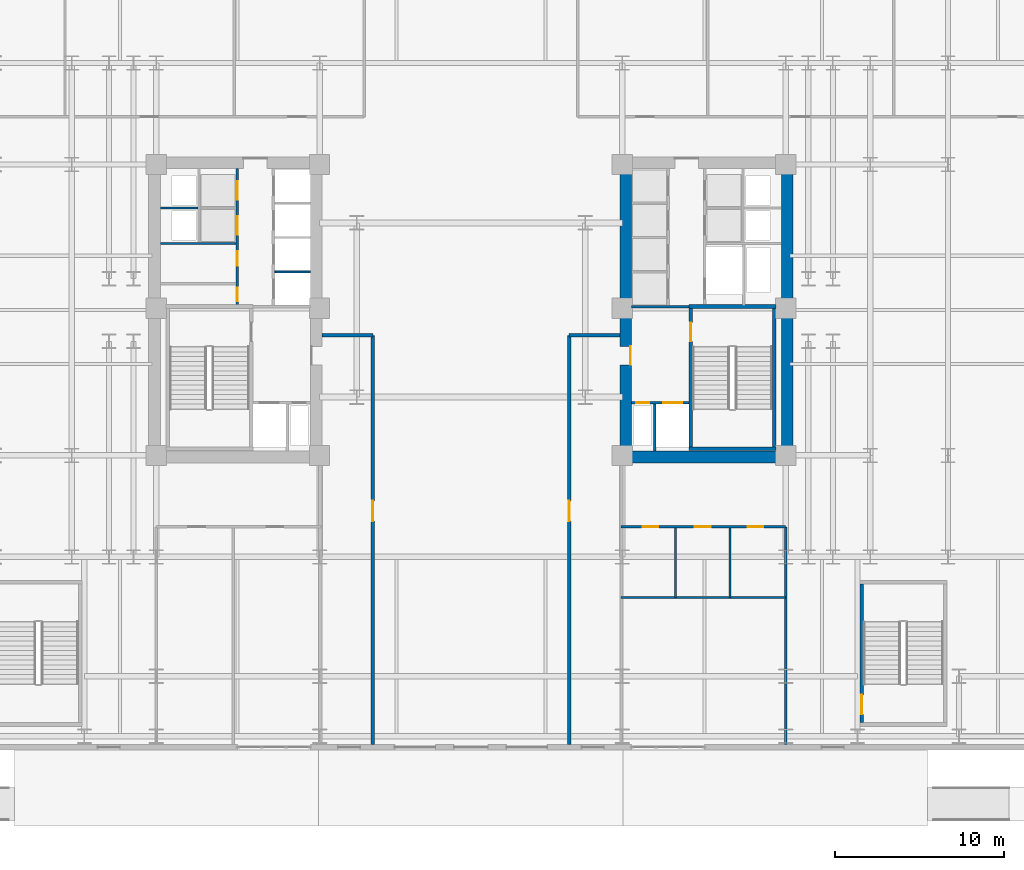
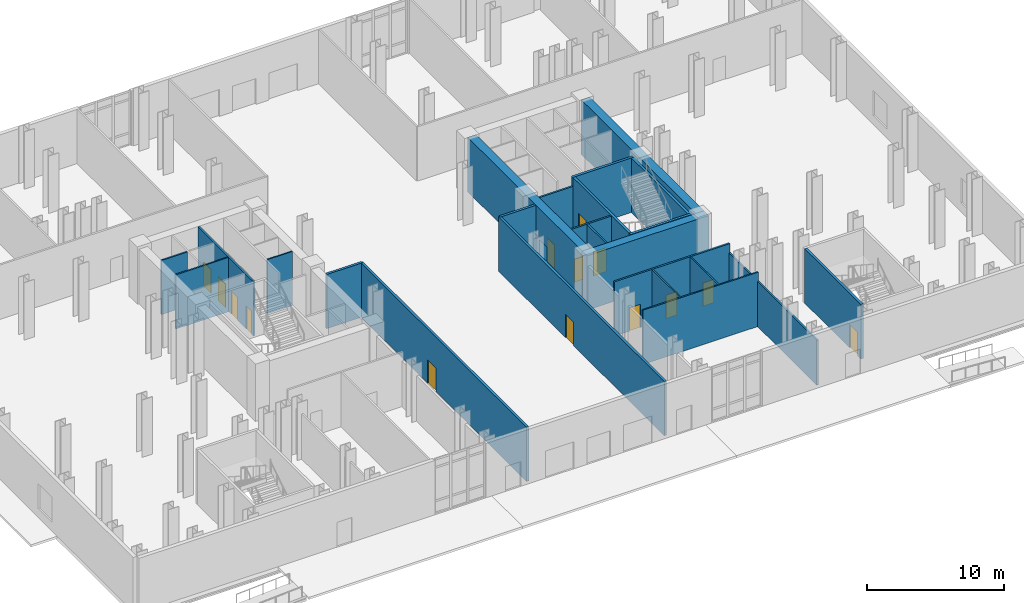
# One storey, part 12 of 21: 24 walls, 14 doors, 14 openings.
"""IFC4 building model written with IfcOpenShell, lengths in metres."""

from ifc_helpers import new_model, si_unit, direction, frame, frame_2d, origin, place, context, subcontext, project, spatial, rectangle, extrude, material, layer, layer_set, type_object, element, fill, save


model = new_model("IFC4")

# Units and contexts
model_context = context("Model", 3, precision=1e-05, world=origin(), true_north=direction((0.0, 1.0)))
body_context = subcontext(model_context, "Body", "Model", "MODEL_VIEW")
ifc_project = project(units=[si_unit("LENGTHUNIT", "METRE"), si_unit("AREAUNIT", "SQUARE_METRE"), si_unit("VOLUMEUNIT", "CUBIC_METRE"), si_unit("PLANEANGLEUNIT", "RADIAN"), si_unit("MASSUNIT", "GRAM", prefix="KILO")], contexts=[model_context])

# Site, building, storey
site_placement = place(None, origin())
site = spatial("IfcSite", under=ifc_project, at=site_placement, CompositionType="ELEMENT")
building_placement = place(site_placement, origin())
building = spatial("IfcBuilding", under=site, at=building_placement, Name="Velakula Bourse", CompositionType="ELEMENT")
storey_placement = place(building_placement, origin())
storey = spatial("IfcBuildingStorey", under=building, at=storey_placement, Name="L00", CompositionType="ELEMENT", Elevation=0.0)

# Wall, opening, door
ifc_material_1 = material(Name="Concrete M50 (fck 50 MPa)", Category="concrete")
ifc_layer_1 = layer(ifc_material_1, 0.2099609375, Name="Concrete M50 (fck 50 MPa)", Category="concrete")
ifc_layer_set_1 = layer_set([ifc_layer_1], Name="Concrete M50 (fck 50 MPa)")
wall_type_1 = type_object("IfcWallType", Name="WL-CORE-210", PredefinedType="SHEAR", material=ifc_layer_set_1)
wall_1_placement = place(storey_placement, frame((12.9951171875, -8.10009765625, 0.0), z_axis=(0.0, 0.0, 1.0), x_axis=(0.0, 1.0, 0.0)))
wall_1 = element("IfcWall", 1, at=wall_1_placement, inside=storey, type_object=wall_type_1, Name="L00 Core E Stairwell Shear Wall IN", PredefinedType="SHEAR", context=body_context, shape_type="SweptSolid", body=[
    extrude(rectangle(XDim=8.2001953125, YDim=0.2099609375, at=frame_2d((4.10009765625, 0.0))), origin(), (0.0, 0.0, 1.0), 4.85009765625),
])
opening_1_placement = place(wall_1_placement, frame((6.25, 0.0, 0.0)))
opening_1 = element("IfcOpeningElement", 2, at=opening_1_placement, cuts=wall_1, Name="Opening D-STE1", PredefinedType="OPENING", context=body_context, shape_type="SweptSolid", body=[
    extrude(rectangle(XDim=1.10009765625, YDim=2.14990234375, at=frame_2d((0.550048828125, 1.074951171875))), frame((0.0, 0.114990234375, 0.0), z_axis=(0.0, -1.0, 0.0), x_axis=(1.0, 0.0, 0.0)), (0.0, 0.0, 1.0), 0.22998046875),
])
ifc_material_2 = material(Name="Galvanised painted hollow steel fire door", Category="steel")
door_type_1 = type_object("IfcDoorType", Name="DR-FD120-1100x2150", OperationType="NOTDEFINED", PredefinedType="DOOR", material=ifc_material_2)
door_1_placement = place(opening_1_placement, origin())
door_1 = element("IfcDoor", 3, at=door_1_placement, inside=storey, type_object=door_type_1, Name="L00 Stair ST-E1 Fire Door", OperationType="SINGLE_SWING_RIGHT", OverallHeight=2.14990234375, OverallWidth=1.10009765625, PredefinedType="DOOR", context=body_context, shape_type="SweptSolid", body=[
    extrude(rectangle(XDim=1.10009765625, YDim=2.14990234375, at=frame_2d((0.550048828125, 1.074951171875))), frame((0.0, 0.02490234375, 0.0), z_axis=(0.0, -1.0, 0.0), x_axis=(1.0, 0.0, 0.0)), (0.0, 0.0, 1.0), 0.050048828125),
])
fill(opening_1, door_1)

# Walls
wall_2_placement = place(storey_placement, frame((17.925048828125, -8.10009765625, 0.0), z_axis=(0.0, 0.0, 1.0), x_axis=(0.0, 1.0, 0.0)))
element("IfcWall", 4, at=wall_2_placement, inside=storey, type_object=wall_type_1, Name="L00 Core E Stairwell Shear Wall OUT", PredefinedType="SHEAR", context=body_context, shape_type="SweptSolid", body=[
    extrude(rectangle(XDim=8.2001953125, YDim=0.2099609375, at=frame_2d((4.10009765625, 0.0))), origin(), (0.0, 0.0, 1.0), 4.85009765625),
])
for number, where, z_axis, x_axis, name in (
    (5, (12.889892578125, -8.205078125, 0.0), (0.0, 0.0, 1.0), (1.0, 0.0, 0.0), "L00 Core E Stairwell Shear Wall S"),
    (6, (18.030029296875, 0.205078125, 0.0), (0.0, 0.0, 1.0), (-1.0, 0.0, 0.0), "L00 Core E Stairwell Shear Wall N"),
):
    element("IfcWall", number, at=place(storey_placement, frame(where, z_axis=z_axis, x_axis=x_axis)), inside=storey, type_object=wall_type_1, Name=name, PredefinedType="SHEAR", context=body_context, shape_type="SweptSolid", body=[
        extrude(rectangle(XDim=5.14013671875, YDim=0.2099609375, at=frame_2d((2.570068359375, 0.0))), origin(), (0.0, 0.0, 1.0), 4.85009765625),
    ])

# Wall, opening, door
wall_3_placement = place(storey_placement, frame((23.094970703125, -24.39990234375, 0.0), z_axis=(0.0, 0.0, 1.0), x_axis=(0.0, 1.0, 0.0)))
wall_3 = element("IfcWall", 7, at=wall_3_placement, inside=storey, type_object=wall_type_1, Name="L00 Podium Stair ST-P2 Shear Wall W", PredefinedType="SHEAR", context=body_context, shape_type="SweptSolid", body=[
    extrude(rectangle(XDim=8.199951171875, YDim=0.2099609375, at=frame_2d((4.10009765625, 0.0))), origin(), (0.0, 0.0, 1.0), 4.85009765625),
])
opening_2_placement = place(wall_3_placement, frame((0.5, 0.0, 0.0)))
opening_2 = element("IfcOpeningElement", 8, at=opening_2_placement, cuts=wall_3, Name="Opening D-P2", PredefinedType="OPENING", context=body_context, shape_type="SweptSolid", body=[
    extrude(rectangle(XDim=1.14990234375, YDim=2.10009765625, at=frame_2d((0.574951171875, 1.050048828125))), frame((0.0, 0.114990234375, 0.0), z_axis=(0.0, -1.0, 0.0), x_axis=(1.0, 0.0, 0.0)), (0.0, 0.0, 1.0), 0.22998046875),
])
door_type_2 = type_object("IfcDoorType", Name="DR-FD120-1150x2100", OperationType="NOTDEFINED", PredefinedType="DOOR", material=ifc_material_2)
door_2_placement = place(opening_2_placement, origin())
door_2 = element("IfcDoor", 9, at=door_2_placement, inside=storey, type_object=door_type_2, Name="L00 Stair ST-P2 Concourse Discharge Door", OperationType="SINGLE_SWING_LEFT", OverallHeight=2.10009765625, OverallWidth=1.14990234375, PredefinedType="DOOR", context=body_context, shape_type="SweptSolid", body=[
    extrude(rectangle(XDim=1.14990234375, YDim=2.10009765625, at=frame_2d((0.574951171875, 1.050048828125))), frame((0.0, 0.02490234375, 0.0), z_axis=(0.0, -1.0, 0.0), x_axis=(1.0, 0.0, 0.0)), (0.0, 0.0, 1.0), 0.050048828125),
])
fill(opening_2, door_2)

# Wall
ifc_material_3 = material(Name="Concrete M70 (fck 70 MPa)", Category="concrete")
ifc_layer_2 = layer(ifc_material_3, 0.699951171875, Name="Concrete M70 (fck 70 MPa)", Category="concrete")
ifc_layer_set_2 = layer_set([ifc_layer_2], Name="Concrete M70 (fck 70 MPa)")
wall_type_2 = type_object("IfcWallType", Name="WL-CORE-700", PredefinedType="SHEAR", material=ifc_layer_set_2)
wall_4_placement = place(storey_placement, frame((8.800048828125, -8.699951171875, 0.0), z_axis=(0.0, 0.0, 1.0), x_axis=(1.0, 0.0, 0.0)))
element("IfcWall", 10, at=wall_4_placement, inside=storey, type_object=wall_type_2, Name="L00 Core E Shear Wall S", PredefinedType="SHEAR", context=body_context, shape_type="SweptSolid", body=[
    extrude(rectangle(XDim=10.25, YDim=0.699951171875, at=frame_2d((5.125, 0.0))), origin(), (0.0, 0.0, 1.0), 4.85009765625),
])

# Wall, opening, door
wall_5_placement = place(storey_placement, frame((9.14990234375, -8.35009765625, 0.0), z_axis=(0.0, 0.0, 1.0), x_axis=(0.0, 1.0, 0.0)))
wall_5 = element("IfcWall", 11, at=wall_5_placement, inside=storey, type_object=wall_type_2, Name="L00 Core E Shear Wall W", PredefinedType="SHEAR", context=body_context, shape_type="SweptSolid", body=[
    extrude(rectangle(XDim=16.7001953125, YDim=0.699951171875, at=frame_2d((8.35009765625, 0.0))), origin(), (0.0, 0.0, 1.0), 4.85009765625),
])
opening_3_placement = place(wall_5_placement, frame((5.10009765625, 0.0, 0.0)))
opening_3 = element("IfcOpeningElement", 12, at=opening_3_placement, cuts=wall_5, Name="Opening D-FLE", PredefinedType="OPENING", context=body_context, shape_type="SweptSolid", body=[
    extrude(rectangle(XDim=1.10009765625, YDim=2.080078125, at=frame_2d((0.550048828125, 1.0400390625))), frame((0.0, 0.35986328125, 0.0), z_axis=(0.0, -1.0, 0.0), x_axis=(1.0, 0.0, 0.0)), (0.0, 0.0, 1.0), 0.719970703125),
])
door_type_3 = type_object("IfcDoorType", Name="DR-FD120-1100", OperationType="NOTDEFINED", PredefinedType="DOOR", material=ifc_material_2)
door_3_placement = place(opening_3_placement, origin())
door_3 = element("IfcDoor", 13, at=door_3_placement, inside=storey, type_object=door_type_3, Name="L00 Firefighting Lobby E Corridor Fire Door", OperationType="SINGLE_SWING_RIGHT", OverallHeight=2.080078125, OverallWidth=1.10009765625, PredefinedType="DOOR", context=body_context, shape_type="SweptSolid", body=[
    extrude(rectangle(XDim=1.10009765625, YDim=2.080078125, at=frame_2d((0.550048828125, 1.0400390625))), frame((0.0, -0.2548828125, 0.0), z_axis=(0.0, -1.0, 0.0), x_axis=(1.0, 0.0, 0.0)), (0.0, 0.0, 1.0), 0.050048828125),
])
fill(opening_3, door_3)

# Walls
wall_6_placement = place(storey_placement, frame((18.699951171875, -8.35009765625, 0.0), z_axis=(0.0, 0.0, 1.0), x_axis=(0.0, 1.0, 0.0)))
element("IfcWall", 14, at=wall_6_placement, inside=storey, type_object=wall_type_2, Name="L00 Core E Shear Wall E", PredefinedType="SHEAR", context=body_context, shape_type="SweptSolid", body=[
    extrude(rectangle(XDim=16.7001953125, YDim=0.699951171875, at=frame_2d((8.35009765625, 0.0))), origin(), (0.0, 0.0, 1.0), 4.85009765625),
])
ifc_material_4 = material(Name="Fire-rated double-layer gypsum drywall partition", Category="gypsum")
ifc_layer_3 = layer(ifc_material_4, 0.1201171875, Name="Fire-rated double-layer gypsum drywall partition", Category="gypsum")
ifc_layer_set_3 = layer_set([ifc_layer_3], Name="Fire-rated double-layer gypsum drywall partition")
wall_type_3 = type_object("IfcWallType", Name="WL-PART-120", PredefinedType="STANDARD", material=ifc_layer_set_3)
wall_7_placement = place(storey_placement, frame((-11.60009765625, 2.2548828125, 0.0), z_axis=(0.0, 0.0, 1.0), x_axis=(1.0, 0.0, 0.0)))
element("IfcWall", 15, at=wall_7_placement, inside=storey, type_object=wall_type_3, Name="L00 Interior Partition WL-CRW-L00-BDIV-0", PredefinedType="STANDARD", context=body_context, shape_type="SweptSolid", body=[
    extrude(rectangle(XDim=2.10009765625, YDim=0.110107421875, at=frame_2d((1.050048828125, 0.0))), origin(), (0.0, 0.0, 1.0), 4.830078125),
])
wall_8_placement = place(storey_placement, frame((-18.35009765625, 3.919921875, 0.0), z_axis=(0.0, 0.0, 1.0), x_axis=(1.0, 0.0, 0.0)))
element("IfcWall", 16, at=wall_8_placement, inside=storey, type_object=wall_type_3, Name="L00 Interior Partition WL-CRW-L00-HI-S", PredefinedType="STANDARD", context=body_context, shape_type="SweptSolid", body=[
    extrude(rectangle(XDim=4.4501953125, YDim=0.1201171875, at=frame_2d((2.22509765625, 0.0))), origin(), (0.0, 0.0, 1.0), 4.830078125),
])
wall_9_placement = place(storey_placement, frame((-18.35009765625, 6.030029296875, 0.0), z_axis=(0.0, 0.0, 1.0), x_axis=(1.0, 0.0, 0.0)))
element("IfcWall", 17, at=wall_9_placement, inside=storey, type_object=wall_type_3, Name="L00 Interior Partition WL-CRW-L00-RIS-MID", PredefinedType="STANDARD", context=body_context, shape_type="SweptSolid", body=[
    extrude(rectangle(XDim=2.2001953125, YDim=0.1201171875, at=frame_2d((1.10009765625, 0.0))), origin(), (0.0, 0.0, 1.0), 4.830078125),
])

# Wall, openings, doors
ifc_layer_4 = layer(ifc_material_4, 0.139892578125, Name="Fire-rated double-layer gypsum drywall partition", Category="gypsum")
ifc_layer_set_4 = layer_set([ifc_layer_4], Name="Fire-rated double-layer gypsum drywall partition")
wall_type_4 = type_object("IfcWallType", Name="WL-PART-140", PredefinedType="STANDARD", material=ifc_layer_set_4)
wall_10_placement = place(storey_placement, frame((8.8798828125, -12.820068359375, 0.0), z_axis=(0.0, 0.0, 1.0), x_axis=(1.0, 0.0, 0.0)))
wall_10 = element("IfcWall", 18, at=wall_10_placement, inside=storey, type_object=wall_type_4, Name="L00 Interior Partition WL-POD-L00-SE-CORR", PredefinedType="STANDARD", context=body_context, shape_type="SweptSolid", body=[
    extrude(rectangle(XDim=9.72021484375, YDim=0.14990234375, at=frame_2d((4.860107421875, 0.0))), origin(), (0.0, 0.0, 1.0), 4.830078125),
])
opening_4_placement = place(wall_10_placement, frame((1.27587890625, 0.0, 0.0)))
opening_4 = element("IfcOpeningElement", 19, at=opening_4_placement, cuts=wall_10, Name="Opening D-WT1", PredefinedType="OPENING", context=body_context, shape_type="SweptSolid", body=[
    extrude(rectangle(XDim=0.919921875, YDim=2.080078125, at=frame_2d((0.4599609375, 1.0400390625))), frame((0.0, 0.0849609375, 0.0), z_axis=(0.0, -1.0, 0.0), x_axis=(1.0, 0.0, 0.0)), (0.0, 0.0, 1.0), 0.169921875),
])
opening_5_placement = place(wall_10_placement, frame((4.360107421875, 0.0, 0.0)))
opening_5 = element("IfcOpeningElement", 20, at=opening_5_placement, cuts=wall_10, Name="Opening D-WT1", PredefinedType="OPENING", context=body_context, shape_type="SweptSolid", body=[
    extrude(rectangle(XDim=0.919921875, YDim=2.080078125, at=frame_2d((0.4599609375, 1.0400390625))), frame((0.0, 0.0849609375, 0.0), z_axis=(0.0, -1.0, 0.0), x_axis=(1.0, 0.0, 0.0)), (0.0, 0.0, 1.0), 0.169921875),
])
opening_6_placement = place(wall_10_placement, frame((7.48388671875, 0.0, 0.0)))
opening_6 = element("IfcOpeningElement", 21, at=opening_6_placement, cuts=wall_10, Name="Opening D-WC1", PredefinedType="OPENING", context=body_context, shape_type="SweptSolid", body=[
    extrude(rectangle(XDim=0.919921875, YDim=2.080078125, at=frame_2d((0.4599609375, 1.0400390625))), frame((0.0, 0.0849609375, 0.0), z_axis=(0.0, -1.0, 0.0), x_axis=(1.0, 0.0, 0.0)), (0.0, 0.0, 1.0), 0.169921875),
])
ifc_material_5 = material(Name="Fire-rated hardwood flush architectural door", Category="wood")
door_type_4 = type_object("IfcDoorType", Name="DR-WC-950", OperationType="NOTDEFINED", PredefinedType="DOOR", material=ifc_material_5)
door_4_placement = place(opening_4_placement, origin())
door_4 = element("IfcDoor", 22, at=door_4_placement, inside=storey, type_object=door_type_4, Name="L00 Male Public Toilet Door", OperationType="SINGLE_SWING_LEFT", OverallHeight=2.080078125, OverallWidth=0.919921875, PredefinedType="DOOR", context=body_context, shape_type="SweptSolid", body=[
    extrude(rectangle(XDim=0.919921875, YDim=2.080078125, at=frame_2d((0.4599609375, 1.0400390625))), frame((0.0, 0.02490234375, 0.0), z_axis=(0.0, -1.0, 0.0), x_axis=(1.0, 0.0, 0.0)), (0.0, 0.0, 1.0), 0.050048828125),
])
fill(opening_4, door_4)
door_5_placement = place(opening_5_placement, origin())
door_5 = element("IfcDoor", 23, at=door_5_placement, inside=storey, type_object=door_type_4, Name="L00 Female Public Toilet Door", OperationType="SINGLE_SWING_RIGHT", OverallHeight=2.080078125, OverallWidth=0.919921875, PredefinedType="DOOR", context=body_context, shape_type="SweptSolid", body=[
    extrude(rectangle(XDim=0.919921875, YDim=2.080078125, at=frame_2d((0.4599609375, 1.0400390625))), frame((0.0, 0.02490234375, 0.0), z_axis=(0.0, -1.0, 0.0), x_axis=(1.0, 0.0, 0.0)), (0.0, 0.0, 1.0), 0.050048828125),
])
fill(opening_5, door_5)
door_6_placement = place(opening_6_placement, origin())
door_6 = element("IfcDoor", 24, at=door_6_placement, inside=storey, type_object=door_type_4, Name="L00 Accessible WC Door", OperationType="SINGLE_SWING_LEFT", OverallHeight=2.080078125, OverallWidth=0.919921875, PredefinedType="DOOR", context=body_context, shape_type="SweptSolid", body=[
    extrude(rectangle(XDim=0.919921875, YDim=2.080078125, at=frame_2d((0.4599609375, 1.0400390625))), frame((0.0, 0.02490234375, 0.0), z_axis=(0.0, -1.0, 0.0), x_axis=(1.0, 0.0, 0.0)), (0.0, 0.0, 1.0), 0.050048828125),
])
fill(opening_6, door_6)

# Walls
wall_11_placement = place(storey_placement, frame((18.60009765625, -25.679931640625, 0.0), z_axis=(0.0, 0.0, 1.0), x_axis=(0.0, 1.0, 0.0)))
element("IfcWall", 25, at=wall_11_placement, inside=storey, type_object=wall_type_4, Name="L00 Interior Partition WL-POD-L00-SE-END", PredefinedType="STANDARD", context=body_context, shape_type="SweptSolid", body=[
    extrude(rectangle(XDim=12.85986328125, YDim=0.139892578125, at=frame_2d((6.429931640625, 0.0))), origin(), (0.0, 0.0, 1.0), 4.02490234375),
])
wall_12_placement = place(storey_placement, frame((8.8798828125, -17.0, 0.0), z_axis=(0.0, 0.0, 1.0), x_axis=(1.0, 0.0, 0.0)))
element("IfcWall", 26, at=wall_12_placement, inside=storey, type_object=wall_type_4, Name="L00 Interior Partition WL-POD-L00-WC-BACK", PredefinedType="STANDARD", context=body_context, shape_type="SweptSolid", body=[
    extrude(rectangle(XDim=9.72021484375, YDim=0.1201171875, at=frame_2d((4.860107421875, 0.0))), origin(), (0.0, 0.0, 1.0), 4.830078125),
])
for number, where, z_axis, x_axis, name in (
    (27, (12.10009765625, -17.0, 0.0), (0.0, 0.0, 1.0), (0.0, 1.0, 0.0), "L00 Interior Partition WL-POD-L00-WC-V1"),
    (28, (15.300048828125, -17.0, 0.0), (0.0, 0.0, 1.0), (0.0, 1.0, 0.0), "L00 Interior Partition WL-POD-L00-WC-V2"),
):
    element("IfcWall", number, at=place(storey_placement, frame(where, z_axis=z_axis, x_axis=x_axis)), inside=storey, type_object=wall_type_4, Name=name, PredefinedType="STANDARD", context=body_context, shape_type="SweptSolid", body=[
        extrude(rectangle(XDim=4.110107421875, YDim=0.1201171875, at=frame_2d((2.05517578125, 0.0))), origin(), (0.0, 0.0, 1.0), 4.830078125),
    ])

# Wall, openings, doors
ifc_material_6 = material(Name="Autoclaved aerated concrete blockwork masonry", Category="masonry")
ifc_layer_5 = layer(ifc_material_6, 0.14990234375, Name="Autoclaved aerated concrete blockwork masonry", Category="masonry")
ifc_layer_set_5 = layer_set([ifc_layer_5], Name="Autoclaved aerated concrete blockwork masonry")
wall_type_5 = type_object("IfcWallType", Name="WL-SHAFT-150", PredefinedType="STANDARD", material=ifc_layer_set_5)
wall_13_placement = place(storey_placement, frame((-13.824951171875, 0.27001953125, 0.0), z_axis=(0.0, 0.0, 1.0), x_axis=(0.0, 1.0, 0.0)))
wall_13 = element("IfcWall", 29, at=wall_13_placement, inside=storey, type_object=wall_type_5, Name="L00 Interior Partition WL-CRW-L00-OUT-F", PredefinedType="STANDARD", context=body_context, shape_type="SweptSolid", body=[
    extrude(rectangle(XDim=8.080078125, YDim=0.14990234375, at=frame_2d((4.0400390625, 0.0))), origin(), (0.0, 0.0, 1.0), 4.830078125),
])
opening_7_placement = place(wall_13_placement, frame((4.175048828125, 0.0, 0.0)))
opening_7 = element("IfcOpeningElement", 30, at=opening_7_placement, cuts=wall_13, Name="Opening LD-P9", PredefinedType="OPENING", context=body_context, shape_type="SweptSolid", body=[
    extrude(rectangle(XDim=1.10009765625, YDim=2.10009765625, at=frame_2d((0.550048828125, 1.050048828125))), frame((0.0, 0.0849609375, 0.0), z_axis=(0.0, -1.0, 0.0), x_axis=(1.0, 0.0, 0.0)), (0.0, 0.0, 1.0), 0.169921875),
])
opening_8_placement = place(wall_13_placement, frame((6.2451171875, 0.0, 0.0)))
opening_8 = element("IfcOpeningElement", 31, at=opening_8_placement, cuts=wall_13, Name="Opening LD-P10", PredefinedType="OPENING", context=body_context, shape_type="SweptSolid", body=[
    extrude(rectangle(XDim=1.10009765625, YDim=2.10009765625, at=frame_2d((0.550048828125, 1.050048828125))), frame((0.0, 0.0849609375, 0.0), z_axis=(0.0, -1.0, 0.0), x_axis=(1.0, 0.0, 0.0)), (0.0, 0.0, 1.0), 0.169921875),
])
opening_9_placement = place(wall_13_placement, frame((0.25, 0.0, 0.0)))
opening_9 = element("IfcOpeningElement", 32, at=opening_9_placement, cuts=wall_13, Name="Opening D-CS1", PredefinedType="OPENING", context=body_context, shape_type="SweptSolid", body=[
    extrude(rectangle(XDim=0.800048828125, YDim=2.050048828125, at=frame_2d((0.39990234375, 1.02490234375))), frame((0.0, 0.0849609375, 0.0), z_axis=(0.0, -1.0, 0.0), x_axis=(1.0, 0.0, 0.0)), (0.0, 0.0, 1.0), 0.169921875),
])
opening_10_placement = place(wall_13_placement, frame((2.35009765625, 0.0, 0.0)))
opening_10 = element("IfcOpeningElement", 33, at=opening_10_placement, cuts=wall_13, Name="Opening D-CW1", PredefinedType="OPENING", context=body_context, shape_type="SweptSolid", body=[
    extrude(rectangle(XDim=0.85009765625, YDim=2.050048828125, at=frame_2d((0.425048828125, 1.02490234375))), frame((0.0, 0.0849609375, 0.0), z_axis=(0.0, -1.0, 0.0), x_axis=(1.0, 0.0, 0.0)), (0.0, 0.0, 1.0), 0.169921875),
])
door_type_5 = type_object("IfcDoorType", Name="DR-INT-850", OperationType="NOTDEFINED", PredefinedType="DOOR", material=ifc_material_5)
door_7_placement = place(opening_10_placement, origin())
door_7 = element("IfcDoor", 34, at=door_7_placement, inside=storey, type_object=door_type_5, Name="L00 Core Janitor Closet Door", OperationType="SINGLE_SWING_RIGHT", OverallHeight=2.050048828125, OverallWidth=0.85009765625, PredefinedType="DOOR", context=body_context, shape_type="SweptSolid", body=[
    extrude(rectangle(XDim=0.85009765625, YDim=2.050048828125, at=frame_2d((0.425048828125, 1.02490234375))), frame((0.0, 0.02490234375, 0.0), z_axis=(0.0, -1.0, 0.0), x_axis=(1.0, 0.0, 0.0)), (0.0, 0.0, 1.0), 0.050048828125),
])
fill(opening_10, door_7)
door_type_6 = type_object("IfcDoorType", Name="DR-RISER-800x2050", OperationType="NOTDEFINED", PredefinedType="DOOR", material=ifc_material_2)
door_8_placement = place(opening_9_placement, origin())
door_8 = element("IfcDoor", 35, at=door_8_placement, inside=storey, type_object=door_type_6, Name="L00 Core Cleaner Store Door", OperationType="SINGLE_SWING_RIGHT", OverallHeight=2.050048828125, OverallWidth=0.800048828125, PredefinedType="DOOR", context=body_context, shape_type="SweptSolid", body=[
    extrude(rectangle(XDim=0.800048828125, YDim=2.050048828125, at=frame_2d((0.39990234375, 1.02490234375))), frame((0.0, 0.02490234375, 0.0), z_axis=(0.0, -1.0, 0.0), x_axis=(1.0, 0.0, 0.0)), (0.0, 0.0, 1.0), 0.050048828125),
])
fill(opening_9, door_8)
ifc_material_7 = material(Name="Brushed grade 316 stainless steel", Category="steel")
door_type_7 = type_object("IfcDoorType", Name="DR-SLIDE-LD-1100", OperationType="DOUBLE_DOOR_SLIDING", PredefinedType="DOOR", material=ifc_material_7)
door_9_placement = place(opening_7_placement, origin())
door_9 = element("IfcDoor", 36, at=door_9_placement, inside=storey, type_object=door_type_7, Name="L00 Passenger Lift P9 Sliding Landing Door", OperationType="DOUBLE_DOOR_SLIDING", OverallHeight=2.10009765625, OverallWidth=1.10009765625, PredefinedType="DOOR", context=body_context, shape_type="SweptSolid", body=[
    extrude(rectangle(XDim=1.10009765625, YDim=2.10009765625, at=frame_2d((0.550048828125, 1.050048828125))), frame((0.0, 0.02490234375, 0.0), z_axis=(0.0, -1.0, 0.0), x_axis=(1.0, 0.0, 0.0)), (0.0, 0.0, 1.0), 0.050048828125),
])
fill(opening_7, door_9)
door_10_placement = place(opening_8_placement, origin())
door_10 = element("IfcDoor", 37, at=door_10_placement, inside=storey, type_object=door_type_7, Name="L00 Passenger Lift P10 Sliding Landing Door", OperationType="DOUBLE_DOOR_SLIDING", OverallHeight=2.10009765625, OverallWidth=1.10009765625, PredefinedType="DOOR", context=body_context, shape_type="SweptSolid", body=[
    extrude(rectangle(XDim=1.10009765625, YDim=2.10009765625, at=frame_2d((0.550048828125, 1.050048828125))), frame((0.0, 0.02490234375, 0.0), z_axis=(0.0, -1.0, 0.0), x_axis=(1.0, 0.0, 0.0)), (0.0, 0.0, 1.0), 0.050048828125),
])
fill(opening_8, door_10)

wall_14_placement = place(storey_placement, frame((9.5, -5.47509765625, 0.0), z_axis=(0.0, 0.0, 1.0), x_axis=(1.0, 0.0, 0.0)))
wall_14 = element("IfcWall", 38, at=wall_14_placement, inside=storey, type_object=wall_type_5, Name="L00 Interior Partition WL-CRE-L00-FFL-N", PredefinedType="STANDARD", context=body_context, shape_type="SweptSolid", body=[
    extrude(rectangle(XDim=3.39501953125, YDim=0.14990234375, at=frame_2d((1.697509765625, 0.0))), origin(), (0.0, 0.0, 1.0), 4.830078125),
])
opening_11_placement = place(wall_14_placement, frame((1.875, 0.0, 0.0)))
opening_11 = element("IfcOpeningElement", 39, at=opening_11_placement, cuts=wall_14, Name="Opening LD-FFL-2", PredefinedType="OPENING", context=body_context, shape_type="SweptSolid", body=[
    extrude(rectangle(XDim=1.10009765625, YDim=2.14990234375, at=frame_2d((0.550048828125, 1.074951171875))), frame((0.0, 0.0849609375, 0.0), z_axis=(0.0, -1.0, 0.0), x_axis=(1.0, 0.0, 0.0)), (0.0, 0.0, 1.0), 0.169921875),
])
opening_12_placement = place(wall_14_placement, frame((0.27490234375, 0.0, 0.0)))
opening_12 = element("IfcOpeningElement", 40, at=opening_12_placement, cuts=wall_14, Name="Opening D-RS1", PredefinedType="OPENING", context=body_context, shape_type="SweptSolid", body=[
    extrude(rectangle(XDim=0.75, YDim=2.050048828125, at=frame_2d((0.375, 1.02490234375))), frame((0.0, 0.0849609375, 0.0), z_axis=(0.0, -1.0, 0.0), x_axis=(1.0, 0.0, 0.0)), (0.0, 0.0, 1.0), 0.169921875),
])
door_type_8 = type_object("IfcDoorType", Name="DR-RISER-800", OperationType="NOTDEFINED", PredefinedType="DOOR", material=ifc_material_2)
door_11_placement = place(opening_12_placement, origin())
door_11 = element("IfcDoor", 41, at=door_11_placement, inside=storey, type_object=door_type_8, Name="L00 Fire Riser Access Door", OperationType="SINGLE_SWING_LEFT", OverallHeight=2.050048828125, OverallWidth=0.75, PredefinedType="DOOR", context=body_context, shape_type="SweptSolid", body=[
    extrude(rectangle(XDim=0.75, YDim=2.050048828125, at=frame_2d((0.375, 1.02490234375))), frame((0.0, 0.02490234375, 0.0), z_axis=(0.0, -1.0, 0.0), x_axis=(1.0, 0.0, 0.0)), (0.0, 0.0, 1.0), 0.050048828125),
])
fill(opening_12, door_11)
door_type_9 = type_object("IfcDoorType", Name="DR-SLIDE-FFL-1100", OperationType="DOUBLE_DOOR_SLIDING", PredefinedType="DOOR", material=ifc_material_7)
door_12_placement = place(opening_11_placement, origin())
door_12 = element("IfcDoor", 42, at=door_12_placement, inside=storey, type_object=door_type_9, Name="L00 Firefighting Lift FFL-2 Sliding Landing Door", OperationType="DOUBLE_DOOR_SLIDING", OverallHeight=2.14990234375, OverallWidth=1.10009765625, PredefinedType="DOOR", context=body_context, shape_type="SweptSolid", body=[
    extrude(rectangle(XDim=1.10009765625, YDim=2.14990234375, at=frame_2d((0.550048828125, 1.074951171875))), frame((0.0, 0.02490234375, 0.0), z_axis=(0.0, -1.0, 0.0), x_axis=(1.0, 0.0, 0.0)), (0.0, 0.0, 1.0), 0.050048828125),
])
fill(opening_11, door_12)

# Walls
wall_15_placement = place(storey_placement, frame((10.875, -8.35009765625, 0.0), z_axis=(0.0, 0.0, 1.0), x_axis=(0.0, 1.0, 0.0)))
element("IfcWall", 43, at=wall_15_placement, inside=storey, type_object=wall_type_5, Name="L00 Interior Partition WL-CRE-L00-FR-DIV", PredefinedType="STANDARD", context=body_context, shape_type="SweptSolid", body=[
    extrude(rectangle(XDim=2.800048828125, YDim=0.14990234375, at=frame_2d((1.39990234375, 0.0))), origin(), (0.0, 0.0, 1.0), 4.830078125),
])
wall_16_placement = place(storey_placement, frame((9.5, 0.18994140625, 0.0), z_axis=(0.0, 0.0, 1.0), x_axis=(1.0, 0.0, 0.0)))
element("IfcWall", 44, at=wall_16_placement, inside=storey, type_object=wall_type_5, Name="L00 Interior Partition WL-CRE-L00-FF-TOP", PredefinedType="STANDARD", context=body_context, shape_type="SweptSolid", body=[
    extrude(rectangle(XDim=3.389892578125, YDim=0.14990234375, at=frame_2d((1.69482421875, 0.0))), origin(), (0.0, 0.0, 1.0), 4.02490234375),
])

# Wall, opening, door
ifc_layer_6 = layer(ifc_material_6, 0.199951171875, Name="Autoclaved aerated concrete blockwork masonry", Category="masonry")
ifc_layer_set_6 = layer_set([ifc_layer_6], Name="Autoclaved aerated concrete blockwork masonry")
wall_type_6 = type_object("IfcWallType", Name="WL-SHAFT-200", PredefinedType="STANDARD", material=ifc_layer_set_6)
wall_17_placement = place(storey_placement, frame((-5.800048828125, -25.679931640625, 0.0), z_axis=(0.0, 0.0, 1.0), x_axis=(0.0, 1.0, 0.0)))
wall_17 = element("IfcWall", 45, at=wall_17_placement, inside=storey, type_object=wall_type_6, Name="L00 Interior Partition WL-EXP-L00-CW-IN", PredefinedType="STANDARD", context=body_context, shape_type="SweptSolid", body=[
    extrude(rectangle(XDim=24.179931640625, YDim=0.199951171875, at=frame_2d((12.08984375, 0.0))), origin(), (0.0, 0.0, 1.0), 4.830078125),
])
opening_13_placement = place(wall_17_placement, frame((13.199951171875, 0.0, 0.0)))
opening_13 = element("IfcOpeningElement", 46, at=opening_13_placement, cuts=wall_17, Name="Opening D-EX1", PredefinedType="OPENING", context=body_context, shape_type="SweptSolid", body=[
    extrude(rectangle(XDim=1.199951171875, YDim=2.10009765625, at=frame_2d((0.60009765625, 1.050048828125))), frame((0.0, 0.10986328125, 0.0), z_axis=(0.0, -1.0, 0.0), x_axis=(1.0, 0.0, 0.0)), (0.0, 0.0, 1.0), 0.219970703125),
])
door_type_10 = type_object("IfcDoorType", Name="DR-FD120-1200", OperationType="NOTDEFINED", PredefinedType="DOOR", material=ifc_material_2)
door_13_placement = place(opening_13_placement, origin())
door_13 = element("IfcDoor", 47, at=door_13_placement, inside=storey, type_object=door_type_10, Name="L00 Concourse to West Protected Exit Passage Fire Door", OperationType="SINGLE_SWING_LEFT", OverallHeight=2.10009765625, OverallWidth=1.199951171875, PredefinedType="DOOR", context=body_context, shape_type="SweptSolid", body=[
    extrude(rectangle(XDim=1.199951171875, YDim=2.10009765625, at=frame_2d((0.60009765625, 1.050048828125))), frame((0.0, 0.02490234375, 0.0), z_axis=(0.0, -1.0, 0.0), x_axis=(1.0, 0.0, 0.0)), (0.0, 0.0, 1.0), 0.050048828125),
])
fill(opening_13, door_13)

# Wall
wall_18_placement = place(storey_placement, frame((-8.800048828125, -1.5, 0.0), z_axis=(0.0, 0.0, 1.0), x_axis=(1.0, 0.0, 0.0)))
element("IfcWall", 48, at=wall_18_placement, inside=storey, type_object=wall_type_6, Name="L00 Interior Partition WL-EXP-L00-CW-N", PredefinedType="STANDARD", context=body_context, shape_type="SweptSolid", body=[
    extrude(rectangle(XDim=3.0, YDim=0.199951171875, at=frame_2d((1.5, 0.0))), origin(), (0.0, 0.0, 1.0), 4.830078125),
])

# Wall, opening, door
wall_19_placement = place(storey_placement, frame((5.800048828125, -25.679931640625, 0.0), z_axis=(0.0, 0.0, 1.0), x_axis=(0.0, 1.0, 0.0)))
wall_19 = element("IfcWall", 49, at=wall_19_placement, inside=storey, type_object=wall_type_6, Name="L00 Interior Partition WL-EXP-L00-CE-IN", PredefinedType="STANDARD", context=body_context, shape_type="SweptSolid", body=[
    extrude(rectangle(XDim=24.179931640625, YDim=0.199951171875, at=frame_2d((12.08984375, 0.0))), origin(), (0.0, 0.0, 1.0), 4.830078125),
])
opening_14_placement = place(wall_19_placement, frame((13.199951171875, 0.0, 0.0)))
opening_14 = element("IfcOpeningElement", 50, at=opening_14_placement, cuts=wall_19, Name="Opening D-EX1", PredefinedType="OPENING", context=body_context, shape_type="SweptSolid", body=[
    extrude(rectangle(XDim=1.199951171875, YDim=2.10009765625, at=frame_2d((0.60009765625, 1.050048828125))), frame((0.0, 0.10986328125, 0.0), z_axis=(0.0, -1.0, 0.0), x_axis=(1.0, 0.0, 0.0)), (0.0, 0.0, 1.0), 0.219970703125),
])
door_14_placement = place(opening_14_placement, origin())
door_14 = element("IfcDoor", 51, at=door_14_placement, inside=storey, type_object=door_type_10, Name="L00 Concourse to East Protected Exit Passage Fire Door", OperationType="SINGLE_SWING_RIGHT", OverallHeight=2.10009765625, OverallWidth=1.199951171875, PredefinedType="DOOR", context=body_context, shape_type="SweptSolid", body=[
    extrude(rectangle(XDim=1.199951171875, YDim=2.10009765625, at=frame_2d((0.60009765625, 1.050048828125))), frame((0.0, 0.02490234375, 0.0), z_axis=(0.0, -1.0, 0.0), x_axis=(1.0, 0.0, 0.0)), (0.0, 0.0, 1.0), 0.050048828125),
])
fill(opening_14, door_14)

# Wall
wall_20_placement = place(storey_placement, frame((5.800048828125, -1.5, 0.0), z_axis=(0.0, 0.0, 1.0), x_axis=(1.0, 0.0, 0.0)))
element("IfcWall", 52, at=wall_20_placement, inside=storey, type_object=wall_type_6, Name="L00 Interior Partition WL-EXP-L00-CE-N", PredefinedType="STANDARD", context=body_context, shape_type="SweptSolid", body=[
    extrude(rectangle(XDim=3.0, YDim=0.199951171875, at=frame_2d((1.5, 0.0))), origin(), (0.0, 0.0, 1.0), 4.830078125),
])

save(model, "model.ifc")
